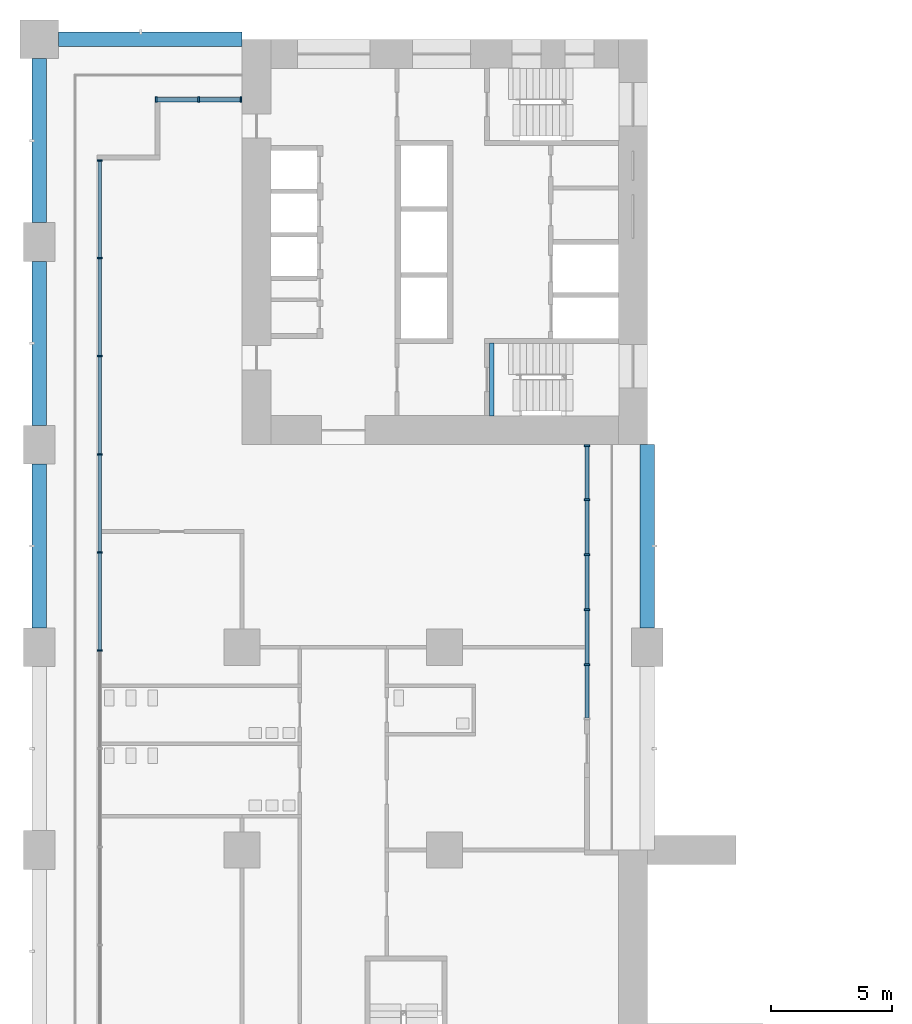
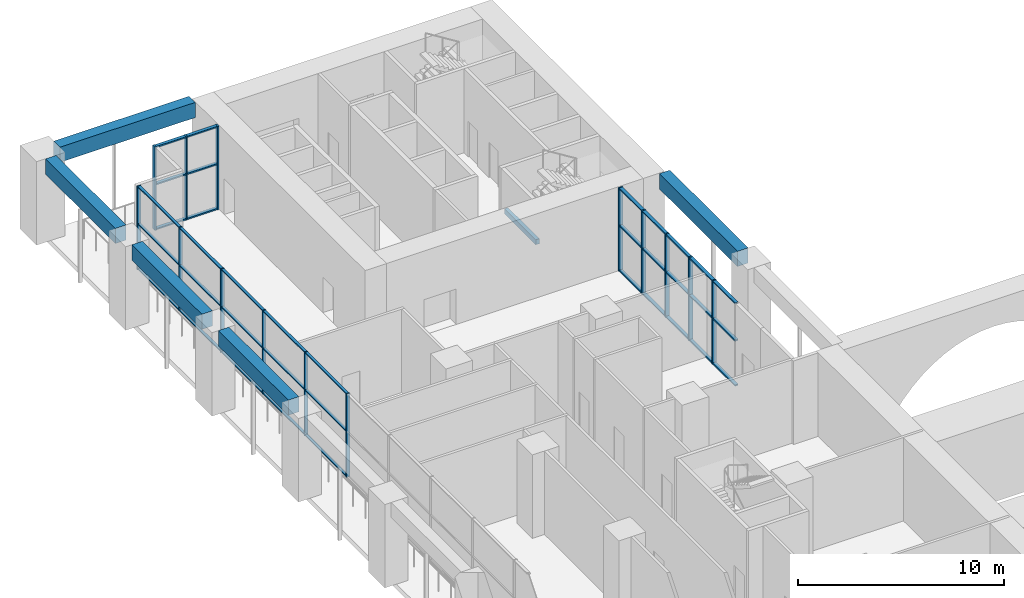
# One storey, part 6 of 26: 50 members, 6 beams, 3 elements without a shape of their own.
"""IFC4 building model written with IfcOpenShell, lengths in metres."""

from ifc_helpers import new_model, si_unit, direction, frame, origin, origin_2d, place, context, subcontext, project, spatial, rectangle, extrude, material, material_profile, profile_set, type_object, element, aggregate, save


model = new_model("IFC4")

# Units and contexts
model_context = context("Model", 3, precision=1e-05, world=origin(), true_north=direction((0.0, 1.0)))
body_context = subcontext(model_context, "Body", "Model", "MODEL_VIEW")
ifc_project = project(units=[si_unit("LENGTHUNIT", "METRE"), si_unit("AREAUNIT", "SQUARE_METRE"), si_unit("VOLUMEUNIT", "CUBIC_METRE"), si_unit("PLANEANGLEUNIT", "RADIAN"), si_unit("MASSUNIT", "GRAM", prefix="KILO")], contexts=[model_context])

# Site, building, storey
site_placement = place(None, origin())
site = spatial("IfcSite", under=ifc_project, at=site_placement, CompositionType="ELEMENT")
building_placement = place(site_placement, origin())
building = spatial("IfcBuilding", under=site, at=building_placement, Name="Vermilion Gate Residences", CompositionType="ELEMENT")
storey_placement = place(building_placement, frame((0.0, 0.0, 9.0)))
storey = spatial("IfcBuildingStorey", under=building, at=storey_placement, Name="L01", CompositionType="ELEMENT", Elevation=9.0)

# Curtain wall, members
ifc_material_1 = material(Name="Aluminium and glass", Category="aluminium")
curtain_wall_type_1 = type_object("IfcCurtainWallType", Name="LOBBY ENTRANCE GLAZING CURTAIN WALL", PredefinedType="NOTDEFINED", material=ifc_material_1)
curtain_wall_1_placement = place(storey_placement, origin())
curtain_wall_1 = element("IfcCurtainWall", 1, at=curtain_wall_1_placement, inside=storey, type_object=curtain_wall_type_1, Name="Lobby Entrance Glazing 0", PredefinedType="NOTDEFINED")
ifc_material_2 = material(Name="Aluminium", Category="aluminium")
ifc_material_profile_1 = material_profile(ifc_material_2, rectangle(XDim=0.219970703125, YDim=0.080078125, at=origin_2d()), Name="MULLION 80 X 220")
ifc_profile_set_1 = profile_set([ifc_material_profile_1], Name="Aluminium")
member_type_1 = type_object("IfcMemberType", Name="LOBBY ENTRANCE GLAZING MULLION 80 X 220", PredefinedType="MULLION", material=ifc_profile_set_1)
member_1_placement = place(storey_placement, frame((8.360107421875, 56.300048828125, 0.0), z_axis=(0.0, 0.0, 1.0), x_axis=(0.0, -1.0, 0.0)))
member_1 = element("IfcMember", 2, at=member_1_placement, type_object=member_type_1, Name="ECW5 mullion 1", PredefinedType="MULLION", context=body_context, shape_type="SweptSolid", body=[
    extrude(rectangle(XDim=0.219970703125, YDim=0.080078125, at=origin_2d()), origin(), (0.0, 0.0, 1.0), 4.949951171875),
])
member_2_placement = place(storey_placement, frame((6.60009765625, 56.300048828125, 0.0), z_axis=(0.0, 0.0, 1.0), x_axis=(0.0, -1.0, 0.0)))
member_2 = element("IfcMember", 3, at=member_2_placement, type_object=member_type_1, Name="ECW5 mullion 2", PredefinedType="MULLION", context=body_context, shape_type="SweptSolid", body=[
    extrude(rectangle(XDim=0.219970703125, YDim=0.080078125, at=origin_2d()), origin(), (0.0, 0.0, 1.0), 4.949951171875),
])
member_3_placement = place(storey_placement, frame((4.840087890625, 56.300048828125, 0.0), z_axis=(0.0, 0.0, 1.0), x_axis=(0.0, -1.0, 0.0)))
member_3 = element("IfcMember", 4, at=member_3_placement, type_object=member_type_1, Name="ECW5 mullion 3", PredefinedType="MULLION", context=body_context, shape_type="SweptSolid", body=[
    extrude(rectangle(XDim=0.219970703125, YDim=0.080078125, at=origin_2d()), origin(), (0.0, 0.0, 1.0), 4.949951171875),
])

curtain_wall_2_placement = place(storey_placement, origin())
curtain_wall_2 = element("IfcCurtainWall", 5, at=curtain_wall_2_placement, inside=storey, type_object=curtain_wall_type_1, Name="Lobby Entrance Glazing 82", PredefinedType="NOTDEFINED")
member_4_placement = place(storey_placement, frame((22.699951171875, 32.8798828125, 0.0), z_axis=(0.0, 0.0, 1.0), x_axis=(-1.0, 0.0, 0.0)))
member_4 = element("IfcMember", 6, at=member_4_placement, type_object=member_type_1, Name="ECW5 mullion 2", PredefinedType="MULLION", context=body_context, shape_type="SweptSolid", body=[
    extrude(rectangle(XDim=0.219970703125, YDim=0.080078125, at=origin_2d()), origin(), (0.0, 0.0, 1.0), 4.949951171875),
])
member_5_placement = place(storey_placement, frame((22.699951171875, 35.159912109375, 0.0), z_axis=(0.0, 0.0, 1.0), x_axis=(-1.0, 0.0, 0.0)))
member_5 = element("IfcMember", 7, at=member_5_placement, type_object=member_type_1, Name="ECW5 mullion 3", PredefinedType="MULLION", context=body_context, shape_type="SweptSolid", body=[
    extrude(rectangle(XDim=0.219970703125, YDim=0.080078125, at=origin_2d()), origin(), (0.0, 0.0, 1.0), 4.949951171875),
])
member_6_placement = place(storey_placement, frame((22.699951171875, 37.43994140625, 0.0), z_axis=(0.0, 0.0, 1.0), x_axis=(-1.0, 0.0, 0.0)))
member_6 = element("IfcMember", 8, at=member_6_placement, type_object=member_type_1, Name="ECW5 mullion 4", PredefinedType="MULLION", context=body_context, shape_type="SweptSolid", body=[
    extrude(rectangle(XDim=0.219970703125, YDim=0.080078125, at=origin_2d()), origin(), (0.0, 0.0, 1.0), 4.949951171875),
])
member_7_placement = place(storey_placement, frame((22.699951171875, 39.719970703125, 0.0), z_axis=(0.0, 0.0, 1.0), x_axis=(-1.0, 0.0, 0.0)))
member_7 = element("IfcMember", 9, at=member_7_placement, type_object=member_type_1, Name="ECW5 mullion 5", PredefinedType="MULLION", context=body_context, shape_type="SweptSolid", body=[
    extrude(rectangle(XDim=0.219970703125, YDim=0.080078125, at=origin_2d()), origin(), (0.0, 0.0, 1.0), 4.949951171875),
])
member_8_placement = place(storey_placement, frame((22.699951171875, 41.9599609375, 0.0), z_axis=(0.0, 0.0, 1.0), x_axis=(-1.0, 0.0, 0.0)))
member_8 = element("IfcMember", 10, at=member_8_placement, type_object=member_type_1, Name="ECW5 mullion 6", PredefinedType="MULLION", context=body_context, shape_type="SweptSolid", body=[
    extrude(rectangle(XDim=0.219970703125, YDim=0.080078125, at=origin_2d()), origin(), (0.0, 0.0, 1.0), 4.949951171875),
])

# Member
ifc_material_3 = material(Name="Aluminium", Category="aluminium")
ifc_material_profile_2 = material_profile(ifc_material_3, rectangle(XDim=0.179931640625, YDim=0.080078125, at=origin_2d()), Name="TRANSOM 80 X 180")
ifc_profile_set_2 = profile_set([ifc_material_profile_2], Name="Aluminium")
member_type_2 = type_object("IfcMemberType", Name="LOBBY ENTRANCE GLAZING TRANSOM 80 X 180", PredefinedType="MULLION", material=ifc_profile_set_2)
member_9_placement = place(storey_placement, frame((8.320068359375, 56.300048828125, 0.0400390625), z_axis=(-1.0, 0.0, 0.0), x_axis=(0.0, -1.0, 0.0)))
member_9 = element("IfcMember", 11, at=member_9_placement, type_object=member_type_2, Name="ECW5 transom 1.1", PredefinedType="MULLION", context=body_context, shape_type="SweptSolid", body=[
    extrude(rectangle(XDim=0.179931640625, YDim=0.080078125, at=origin_2d()), origin(), (0.0, 0.0, 1.0), 1.68017578125),
])

member_10_placement = place(storey_placement, frame((8.320068359375, 56.300048828125, 2.699951171875), z_axis=(-1.0, 0.0, 0.0), x_axis=(0.0, -1.0, 0.0)))
member_10 = element("IfcMember", 12, at=member_10_placement, type_object=member_type_2, Name="ECW5 transom 1.2", PredefinedType="MULLION", context=body_context, shape_type="SweptSolid", body=[
    extrude(rectangle(XDim=0.179931640625, YDim=0.080078125, at=origin_2d()), origin(), (0.0, 0.0, 1.0), 1.68017578125),
])

member_11_placement = place(storey_placement, frame((8.320068359375, 56.300048828125, 4.909912109375), z_axis=(-1.0, 0.0, 0.0), x_axis=(0.0, -1.0, 0.0)))
member_11 = element("IfcMember", 13, at=member_11_placement, type_object=member_type_2, Name="ECW5 transom 1.3", PredefinedType="MULLION", context=body_context, shape_type="SweptSolid", body=[
    extrude(rectangle(XDim=0.179931640625, YDim=0.080078125, at=origin_2d()), origin(), (0.0, 0.0, 1.0), 1.68017578125),
])

member_12_placement = place(storey_placement, frame((6.56005859375, 56.300048828125, 0.0400390625), z_axis=(-1.0, 0.0, 0.0), x_axis=(0.0, -1.0, 0.0)))
member_12 = element("IfcMember", 14, at=member_12_placement, type_object=member_type_2, Name="ECW5 transom 2.1", PredefinedType="MULLION", context=body_context, shape_type="SweptSolid", body=[
    extrude(rectangle(XDim=0.179931640625, YDim=0.080078125, at=origin_2d()), origin(), (0.0, 0.0, 1.0), 1.68017578125),
])

member_13_placement = place(storey_placement, frame((6.56005859375, 56.300048828125, 2.699951171875), z_axis=(-1.0, 0.0, 0.0), x_axis=(0.0, -1.0, 0.0)))
member_13 = element("IfcMember", 15, at=member_13_placement, type_object=member_type_2, Name="ECW5 transom 2.2", PredefinedType="MULLION", context=body_context, shape_type="SweptSolid", body=[
    extrude(rectangle(XDim=0.179931640625, YDim=0.080078125, at=origin_2d()), origin(), (0.0, 0.0, 1.0), 1.68017578125),
])

member_14_placement = place(storey_placement, frame((6.56005859375, 56.300048828125, 4.909912109375), z_axis=(-1.0, 0.0, 0.0), x_axis=(0.0, -1.0, 0.0)))
member_14 = element("IfcMember", 16, at=member_14_placement, type_object=member_type_2, Name="ECW5 transom 2.3", PredefinedType="MULLION", context=body_context, shape_type="SweptSolid", body=[
    extrude(rectangle(XDim=0.179931640625, YDim=0.080078125, at=origin_2d()), origin(), (0.0, 0.0, 1.0), 1.68017578125),
])

aggregate(curtain_wall_1, [member_1, member_2, member_3, member_9, member_10, member_11, member_12, member_13, member_14])

member_15_placement = place(storey_placement, frame((22.699951171875, 30.679931640625, 0.0400390625), z_axis=(0.0, 1.0, 0.0), x_axis=(-1.0, 0.0, 0.0)))
member_15 = element("IfcMember", 17, at=member_15_placement, type_object=member_type_2, Name="ECW5 transom 1.1", PredefinedType="MULLION", context=body_context, shape_type="SweptSolid", body=[
    extrude(rectangle(XDim=0.179931640625, YDim=0.080078125, at=origin_2d()), origin(), (0.0, 0.0, 1.0), 2.16015625),
])

member_16_placement = place(storey_placement, frame((22.699951171875, 30.679931640625, 2.699951171875), z_axis=(0.0, 1.0, 0.0), x_axis=(-1.0, 0.0, 0.0)))
member_16 = element("IfcMember", 18, at=member_16_placement, type_object=member_type_2, Name="ECW5 transom 1.2", PredefinedType="MULLION", context=body_context, shape_type="SweptSolid", body=[
    extrude(rectangle(XDim=0.179931640625, YDim=0.080078125, at=origin_2d()), origin(), (0.0, 0.0, 1.0), 2.16015625),
])

member_17_placement = place(storey_placement, frame((22.699951171875, 30.679931640625, 4.909912109375), z_axis=(0.0, 1.0, 0.0), x_axis=(-1.0, 0.0, 0.0)))
member_17 = element("IfcMember", 19, at=member_17_placement, type_object=member_type_2, Name="ECW5 transom 1.3", PredefinedType="MULLION", context=body_context, shape_type="SweptSolid", body=[
    extrude(rectangle(XDim=0.179931640625, YDim=0.080078125, at=origin_2d()), origin(), (0.0, 0.0, 1.0), 2.16015625),
])

member_18_placement = place(storey_placement, frame((22.699951171875, 32.919921875, 0.0400390625), z_axis=(0.0, 1.0, 0.0), x_axis=(-1.0, 0.0, 0.0)))
member_18 = element("IfcMember", 20, at=member_18_placement, type_object=member_type_2, Name="ECW5 transom 2.1", PredefinedType="MULLION", context=body_context, shape_type="SweptSolid", body=[
    extrude(rectangle(XDim=0.179931640625, YDim=0.080078125, at=origin_2d()), origin(), (0.0, 0.0, 1.0), 2.2001953125),
])

member_19_placement = place(storey_placement, frame((22.699951171875, 32.919921875, 2.699951171875), z_axis=(0.0, 1.0, 0.0), x_axis=(-1.0, 0.0, 0.0)))
member_19 = element("IfcMember", 21, at=member_19_placement, type_object=member_type_2, Name="ECW5 transom 2.2", PredefinedType="MULLION", context=body_context, shape_type="SweptSolid", body=[
    extrude(rectangle(XDim=0.179931640625, YDim=0.080078125, at=origin_2d()), origin(), (0.0, 0.0, 1.0), 2.2001953125),
])

member_20_placement = place(storey_placement, frame((22.699951171875, 32.919921875, 4.909912109375), z_axis=(0.0, 1.0, 0.0), x_axis=(-1.0, 0.0, 0.0)))
member_20 = element("IfcMember", 22, at=member_20_placement, type_object=member_type_2, Name="ECW5 transom 2.3", PredefinedType="MULLION", context=body_context, shape_type="SweptSolid", body=[
    extrude(rectangle(XDim=0.179931640625, YDim=0.080078125, at=origin_2d()), origin(), (0.0, 0.0, 1.0), 2.2001953125),
])

member_21_placement = place(storey_placement, frame((22.699951171875, 35.199951171875, 0.0400390625), z_axis=(0.0, 1.0, 0.0), x_axis=(-1.0, 0.0, 0.0)))
member_21 = element("IfcMember", 23, at=member_21_placement, type_object=member_type_2, Name="ECW5 transom 3.1", PredefinedType="MULLION", context=body_context, shape_type="SweptSolid", body=[
    extrude(rectangle(XDim=0.179931640625, YDim=0.080078125, at=origin_2d()), origin(), (0.0, 0.0, 1.0), 2.199951171875),
])

member_22_placement = place(storey_placement, frame((22.699951171875, 35.199951171875, 2.699951171875), z_axis=(0.0, 1.0, 0.0), x_axis=(-1.0, 0.0, 0.0)))
member_22 = element("IfcMember", 24, at=member_22_placement, type_object=member_type_2, Name="ECW5 transom 3.2", PredefinedType="MULLION", context=body_context, shape_type="SweptSolid", body=[
    extrude(rectangle(XDim=0.179931640625, YDim=0.080078125, at=origin_2d()), origin(), (0.0, 0.0, 1.0), 2.199951171875),
])

member_23_placement = place(storey_placement, frame((22.699951171875, 35.199951171875, 4.909912109375), z_axis=(0.0, 1.0, 0.0), x_axis=(-1.0, 0.0, 0.0)))
member_23 = element("IfcMember", 25, at=member_23_placement, type_object=member_type_2, Name="ECW5 transom 3.3", PredefinedType="MULLION", context=body_context, shape_type="SweptSolid", body=[
    extrude(rectangle(XDim=0.179931640625, YDim=0.080078125, at=origin_2d()), origin(), (0.0, 0.0, 1.0), 2.199951171875),
])

member_24_placement = place(storey_placement, frame((22.699951171875, 37.47998046875, 0.0400390625), z_axis=(0.0, 1.0, 0.0), x_axis=(-1.0, 0.0, 0.0)))
member_24 = element("IfcMember", 26, at=member_24_placement, type_object=member_type_2, Name="ECW5 transom 4.1", PredefinedType="MULLION", context=body_context, shape_type="SweptSolid", body=[
    extrude(rectangle(XDim=0.179931640625, YDim=0.080078125, at=origin_2d()), origin(), (0.0, 0.0, 1.0), 2.199951171875),
])

member_25_placement = place(storey_placement, frame((22.699951171875, 37.47998046875, 2.699951171875), z_axis=(0.0, 1.0, 0.0), x_axis=(-1.0, 0.0, 0.0)))
member_25 = element("IfcMember", 27, at=member_25_placement, type_object=member_type_2, Name="ECW5 transom 4.2", PredefinedType="MULLION", context=body_context, shape_type="SweptSolid", body=[
    extrude(rectangle(XDim=0.179931640625, YDim=0.080078125, at=origin_2d()), origin(), (0.0, 0.0, 1.0), 2.199951171875),
])

member_26_placement = place(storey_placement, frame((22.699951171875, 37.47998046875, 4.909912109375), z_axis=(0.0, 1.0, 0.0), x_axis=(-1.0, 0.0, 0.0)))
member_26 = element("IfcMember", 28, at=member_26_placement, type_object=member_type_2, Name="ECW5 transom 4.3", PredefinedType="MULLION", context=body_context, shape_type="SweptSolid", body=[
    extrude(rectangle(XDim=0.179931640625, YDim=0.080078125, at=origin_2d()), origin(), (0.0, 0.0, 1.0), 2.199951171875),
])

member_27_placement = place(storey_placement, frame((22.699951171875, 39.760009765625, 0.0400390625), z_axis=(0.0, 1.0, 0.0), x_axis=(-1.0, 0.0, 0.0)))
member_27 = element("IfcMember", 29, at=member_27_placement, type_object=member_type_2, Name="ECW5 transom 5.1", PredefinedType="MULLION", context=body_context, shape_type="SweptSolid", body=[
    extrude(rectangle(XDim=0.179931640625, YDim=0.080078125, at=origin_2d()), origin(), (0.0, 0.0, 1.0), 2.159912109375),
])

member_28_placement = place(storey_placement, frame((22.699951171875, 39.760009765625, 2.699951171875), z_axis=(0.0, 1.0, 0.0), x_axis=(-1.0, 0.0, 0.0)))
member_28 = element("IfcMember", 30, at=member_28_placement, type_object=member_type_2, Name="ECW5 transom 5.2", PredefinedType="MULLION", context=body_context, shape_type="SweptSolid", body=[
    extrude(rectangle(XDim=0.179931640625, YDim=0.080078125, at=origin_2d()), origin(), (0.0, 0.0, 1.0), 2.159912109375),
])

member_29_placement = place(storey_placement, frame((22.699951171875, 39.760009765625, 4.909912109375), z_axis=(0.0, 1.0, 0.0), x_axis=(-1.0, 0.0, 0.0)))
member_29 = element("IfcMember", 31, at=member_29_placement, type_object=member_type_2, Name="ECW5 transom 5.3", PredefinedType="MULLION", context=body_context, shape_type="SweptSolid", body=[
    extrude(rectangle(XDim=0.179931640625, YDim=0.080078125, at=origin_2d()), origin(), (0.0, 0.0, 1.0), 2.159912109375),
])

aggregate(curtain_wall_2, [member_4, member_5, member_6, member_7, member_8, member_15, member_16, member_17, member_18, member_19, member_20, member_21, member_22, member_23, member_24, member_25, member_26, member_27, member_28, member_29])

# Curtain wall, members
ifc_material_4 = material(Name="Aluminium and glass", Category="aluminium")
curtain_wall_type_2 = type_object("IfcCurtainWallType", Name="PODIUM SHOPFRONT CURTAIN WALL", PredefinedType="NOTDEFINED", material=ifc_material_4)
curtain_wall_3_placement = place(storey_placement, origin())
curtain_wall_3 = element("IfcCurtainWall", 32, at=curtain_wall_3_placement, inside=storey, type_object=curtain_wall_type_2, Name="Podium Shopfront 30", PredefinedType="NOTDEFINED")
ifc_material_5 = material(Name="Aluminium", Category="aluminium")
ifc_material_profile_3 = material_profile(ifc_material_5, rectangle(XDim=0.199951171875, YDim=0.06005859375, at=origin_2d()), Name="MULLION 60 X 200")
ifc_profile_set_3 = profile_set([ifc_material_profile_3], Name="Aluminium")
member_type_3 = type_object("IfcMemberType", Name="PODIUM SHOPFRONT MULLION 60 X 200", PredefinedType="MULLION", material=ifc_profile_set_3)
member_30_placement = place(storey_placement, frame((2.5, 53.77001953125, 0.0), z_axis=(0.0, 0.0, 1.0), x_axis=(1.0, 0.0, 0.0)))
member_30 = element("IfcMember", 33, at=member_30_placement, type_object=member_type_3, Name="ECW1 mullion 1", PredefinedType="MULLION", context=body_context, shape_type="SweptSolid", body=[
    extrude(rectangle(XDim=0.199951171875, YDim=0.06005859375, at=origin_2d()), origin(), (0.0, 0.0, 1.0), 4.949951171875),
])
member_31_placement = place(storey_placement, frame((2.5, 49.7333984375, 0.0), z_axis=(0.0, 0.0, 1.0), x_axis=(1.0, 0.0, 0.0)))
member_31 = element("IfcMember", 34, at=member_31_placement, type_object=member_type_3, Name="ECW1 mullion 2", PredefinedType="MULLION", context=body_context, shape_type="SweptSolid", body=[
    extrude(rectangle(XDim=0.199951171875, YDim=0.06005859375, at=origin_2d()), origin(), (0.0, 0.0, 1.0), 4.949951171875),
])
member_32_placement = place(storey_placement, frame((2.5, 45.666748046875, 0.0), z_axis=(0.0, 0.0, 1.0), x_axis=(1.0, 0.0, 0.0)))
member_32 = element("IfcMember", 35, at=member_32_placement, type_object=member_type_3, Name="ECW1 mullion 3", PredefinedType="MULLION", context=body_context, shape_type="SweptSolid", body=[
    extrude(rectangle(XDim=0.199951171875, YDim=0.06005859375, at=origin_2d()), origin(), (0.0, 0.0, 1.0), 4.949951171875),
])
member_33_placement = place(storey_placement, frame((2.5, 41.60009765625, 0.0), z_axis=(0.0, 0.0, 1.0), x_axis=(1.0, 0.0, 0.0)))
member_33 = element("IfcMember", 36, at=member_33_placement, type_object=member_type_3, Name="ECW1 mullion 4", PredefinedType="MULLION", context=body_context, shape_type="SweptSolid", body=[
    extrude(rectangle(XDim=0.199951171875, YDim=0.06005859375, at=origin_2d()), origin(), (0.0, 0.0, 1.0), 4.949951171875),
])
member_34_placement = place(storey_placement, frame((2.5, 37.533447265625, 0.0), z_axis=(0.0, 0.0, 1.0), x_axis=(1.0, 0.0, 0.0)))
member_34 = element("IfcMember", 37, at=member_34_placement, type_object=member_type_3, Name="ECW1 mullion 5", PredefinedType="MULLION", context=body_context, shape_type="SweptSolid", body=[
    extrude(rectangle(XDim=0.199951171875, YDim=0.06005859375, at=origin_2d()), origin(), (0.0, 0.0, 1.0), 4.949951171875),
])
member_35_placement = place(storey_placement, frame((2.5, 33.466552734375, 0.0), z_axis=(0.0, 0.0, 1.0), x_axis=(1.0, 0.0, 0.0)))
member_35 = element("IfcMember", 38, at=member_35_placement, type_object=member_type_3, Name="ECW1 mullion 6", PredefinedType="MULLION", context=body_context, shape_type="SweptSolid", body=[
    extrude(rectangle(XDim=0.199951171875, YDim=0.06005859375, at=origin_2d()), origin(), (0.0, 0.0, 1.0), 4.949951171875),
])
ifc_material_6 = material(Name="Aluminium", Category="aluminium")
ifc_material_profile_4 = material_profile(ifc_material_6, rectangle(XDim=0.14990234375, YDim=0.06005859375, at=origin_2d()), Name="TRANSOM 60 X 150")
ifc_profile_set_4 = profile_set([ifc_material_profile_4], Name="Aluminium")
member_type_4 = type_object("IfcMemberType", Name="PODIUM SHOPFRONT TRANSOM 60 X 150", PredefinedType="MULLION", material=ifc_profile_set_4)
member_36_placement = place(storey_placement, frame((2.5, 53.739990234375, 0.030029296875), z_axis=(0.0, -1.0, 0.0), x_axis=(1.0, 0.0, 0.0)))
member_36 = element("IfcMember", 39, at=member_36_placement, type_object=member_type_4, Name="ECW1 transom 1.1", PredefinedType="MULLION", context=body_context, shape_type="SweptSolid", body=[
    extrude(rectangle(XDim=0.14990234375, YDim=0.06005859375, at=origin_2d()), origin(), (0.0, 0.0, 1.0), 3.9765625),
])
member_37_placement = place(storey_placement, frame((2.5, 53.739990234375, 2.699951171875), z_axis=(0.0, -1.0, 0.0), x_axis=(1.0, 0.0, 0.0)))
member_37 = element("IfcMember", 40, at=member_37_placement, type_object=member_type_4, Name="ECW1 transom 1.2", PredefinedType="MULLION", context=body_context, shape_type="SweptSolid", body=[
    extrude(rectangle(XDim=0.14990234375, YDim=0.06005859375, at=origin_2d()), origin(), (0.0, 0.0, 1.0), 3.9765625),
])
member_38_placement = place(storey_placement, frame((2.5, 53.739990234375, 4.919921875), z_axis=(0.0, -1.0, 0.0), x_axis=(1.0, 0.0, 0.0)))
member_38 = element("IfcMember", 41, at=member_38_placement, type_object=member_type_4, Name="ECW1 transom 1.3", PredefinedType="MULLION", context=body_context, shape_type="SweptSolid", body=[
    extrude(rectangle(XDim=0.14990234375, YDim=0.06005859375, at=origin_2d()), origin(), (0.0, 0.0, 1.0), 3.9765625),
])
member_39_placement = place(storey_placement, frame((2.5, 49.703369140625, 0.030029296875), z_axis=(0.0, -1.0, 0.0), x_axis=(1.0, 0.0, 0.0)))
member_39 = element("IfcMember", 42, at=member_39_placement, type_object=member_type_4, Name="ECW1 transom 2.1", PredefinedType="MULLION", context=body_context, shape_type="SweptSolid", body=[
    extrude(rectangle(XDim=0.14990234375, YDim=0.06005859375, at=origin_2d()), origin(), (0.0, 0.0, 1.0), 4.006591796875),
])
member_40_placement = place(storey_placement, frame((2.5, 49.703369140625, 2.699951171875), z_axis=(0.0, -1.0, 0.0), x_axis=(1.0, 0.0, 0.0)))
member_40 = element("IfcMember", 43, at=member_40_placement, type_object=member_type_4, Name="ECW1 transom 2.2", PredefinedType="MULLION", context=body_context, shape_type="SweptSolid", body=[
    extrude(rectangle(XDim=0.14990234375, YDim=0.06005859375, at=origin_2d()), origin(), (0.0, 0.0, 1.0), 4.006591796875),
])
member_41_placement = place(storey_placement, frame((2.5, 49.703369140625, 4.919921875), z_axis=(0.0, -1.0, 0.0), x_axis=(1.0, 0.0, 0.0)))
member_41 = element("IfcMember", 44, at=member_41_placement, type_object=member_type_4, Name="ECW1 transom 2.3", PredefinedType="MULLION", context=body_context, shape_type="SweptSolid", body=[
    extrude(rectangle(XDim=0.14990234375, YDim=0.06005859375, at=origin_2d()), origin(), (0.0, 0.0, 1.0), 4.006591796875),
])
member_42_placement = place(storey_placement, frame((2.5, 45.63671875, 0.030029296875), z_axis=(0.0, -1.0, 0.0), x_axis=(1.0, 0.0, 0.0)))
member_42 = element("IfcMember", 45, at=member_42_placement, type_object=member_type_4, Name="ECW1 transom 3.1", PredefinedType="MULLION", context=body_context, shape_type="SweptSolid", body=[
    extrude(rectangle(XDim=0.14990234375, YDim=0.06005859375, at=origin_2d()), origin(), (0.0, 0.0, 1.0), 4.0068359375),
])
member_43_placement = place(storey_placement, frame((2.5, 45.63671875, 2.699951171875), z_axis=(0.0, -1.0, 0.0), x_axis=(1.0, 0.0, 0.0)))
member_43 = element("IfcMember", 46, at=member_43_placement, type_object=member_type_4, Name="ECW1 transom 3.2", PredefinedType="MULLION", context=body_context, shape_type="SweptSolid", body=[
    extrude(rectangle(XDim=0.14990234375, YDim=0.06005859375, at=origin_2d()), origin(), (0.0, 0.0, 1.0), 4.0068359375),
])
member_44_placement = place(storey_placement, frame((2.5, 45.63671875, 4.919921875), z_axis=(0.0, -1.0, 0.0), x_axis=(1.0, 0.0, 0.0)))
member_44 = element("IfcMember", 47, at=member_44_placement, type_object=member_type_4, Name="ECW1 transom 3.3", PredefinedType="MULLION", context=body_context, shape_type="SweptSolid", body=[
    extrude(rectangle(XDim=0.14990234375, YDim=0.06005859375, at=origin_2d()), origin(), (0.0, 0.0, 1.0), 4.0068359375),
])
member_45_placement = place(storey_placement, frame((2.5, 41.570068359375, 0.030029296875), z_axis=(0.0, -1.0, 0.0), x_axis=(1.0, 0.0, 0.0)))
member_45 = element("IfcMember", 48, at=member_45_placement, type_object=member_type_4, Name="ECW1 transom 4.1", PredefinedType="MULLION", context=body_context, shape_type="SweptSolid", body=[
    extrude(rectangle(XDim=0.14990234375, YDim=0.06005859375, at=origin_2d()), origin(), (0.0, 0.0, 1.0), 4.0068359375),
])
member_46_placement = place(storey_placement, frame((2.5, 41.570068359375, 2.699951171875), z_axis=(0.0, -1.0, 0.0), x_axis=(1.0, 0.0, 0.0)))
member_46 = element("IfcMember", 49, at=member_46_placement, type_object=member_type_4, Name="ECW1 transom 4.2", PredefinedType="MULLION", context=body_context, shape_type="SweptSolid", body=[
    extrude(rectangle(XDim=0.14990234375, YDim=0.06005859375, at=origin_2d()), origin(), (0.0, 0.0, 1.0), 4.0068359375),
])
member_47_placement = place(storey_placement, frame((2.5, 41.570068359375, 4.919921875), z_axis=(0.0, -1.0, 0.0), x_axis=(1.0, 0.0, 0.0)))
member_47 = element("IfcMember", 50, at=member_47_placement, type_object=member_type_4, Name="ECW1 transom 4.3", PredefinedType="MULLION", context=body_context, shape_type="SweptSolid", body=[
    extrude(rectangle(XDim=0.14990234375, YDim=0.06005859375, at=origin_2d()), origin(), (0.0, 0.0, 1.0), 4.0068359375),
])
member_48_placement = place(storey_placement, frame((2.5, 37.50341796875, 0.030029296875), z_axis=(0.0, -1.0, 0.0), x_axis=(1.0, 0.0, 0.0)))
member_48 = element("IfcMember", 51, at=member_48_placement, type_object=member_type_4, Name="ECW1 transom 5.1", PredefinedType="MULLION", context=body_context, shape_type="SweptSolid", body=[
    extrude(rectangle(XDim=0.14990234375, YDim=0.06005859375, at=origin_2d()), origin(), (0.0, 0.0, 1.0), 4.0068359375),
])
member_49_placement = place(storey_placement, frame((2.5, 37.50341796875, 2.699951171875), z_axis=(0.0, -1.0, 0.0), x_axis=(1.0, 0.0, 0.0)))
member_49 = element("IfcMember", 52, at=member_49_placement, type_object=member_type_4, Name="ECW1 transom 5.2", PredefinedType="MULLION", context=body_context, shape_type="SweptSolid", body=[
    extrude(rectangle(XDim=0.14990234375, YDim=0.06005859375, at=origin_2d()), origin(), (0.0, 0.0, 1.0), 4.0068359375),
])
member_50_placement = place(storey_placement, frame((2.5, 37.50341796875, 4.919921875), z_axis=(0.0, -1.0, 0.0), x_axis=(1.0, 0.0, 0.0)))
member_50 = element("IfcMember", 53, at=member_50_placement, type_object=member_type_4, Name="ECW1 transom 5.3", PredefinedType="MULLION", context=body_context, shape_type="SweptSolid", body=[
    extrude(rectangle(XDim=0.14990234375, YDim=0.06005859375, at=origin_2d()), origin(), (0.0, 0.0, 1.0), 4.0068359375),
])
aggregate(curtain_wall_3, [member_30, member_31, member_32, member_33, member_34, member_35, member_36, member_37, member_38, member_39, member_40, member_41, member_42, member_43, member_44, member_45, member_46, member_47, member_48, member_49, member_50])

# Beams
ifc_material_7 = material(Name="Concrete C60 red-oxide pigmented", Category="concrete")
ifc_material_profile_5 = material_profile(ifc_material_7, rectangle(XDim=0.60009765625, YDim=0.89990234375, at=origin_2d()), Name="RC-600x900")
ifc_profile_set_5 = profile_set([ifc_material_profile_5], Name="Concrete C60 red-oxide pigmented")
beam_type_1 = type_object("IfcBeamType", Name="RC EDGE BEAM 600 X 900 C60", PredefinedType="BEAM", material=ifc_profile_set_5)
for number, where, z_axis, x_axis, name in (
    (54, (0.0, 34.39990234375, 4.5), (0.0, 1.0, 0.0), (-1.0, 0.0, 0.0), "Edge beam L01 6"),
    (55, (0.0, 42.800048828125, 4.5), (0.0, 1.0, 0.0), (-1.0, 0.0, 0.0), "Edge beam L01 7"),
):
    element("IfcBeam", number, at=place(storey_placement, frame(where, z_axis=z_axis, x_axis=x_axis)), inside=storey, type_object=beam_type_1, Name=name, PredefinedType="BEAM", context=body_context, shape_type="SweptSolid", body=[
        extrude(rectangle(XDim=0.60009765625, YDim=0.89990234375, at=origin_2d()), origin(), (0.0, 0.0, 1.0), 6.800048828125),
    ])
beam_1_placement = place(storey_placement, frame((0.800048828125, 58.800048828125, 4.5), z_axis=(1.0, 0.0, 0.0), x_axis=(0.0, 1.0, 0.0)))
element("IfcBeam", 56, at=beam_1_placement, inside=storey, type_object=beam_type_1, Name="Edge beam L01 8", PredefinedType="BEAM", context=body_context, shape_type="SweptSolid", body=[
    extrude(rectangle(XDim=0.60009765625, YDim=0.89990234375, at=origin_2d()), origin(), (0.0, 0.0, 1.0), 7.599853515625),
])
beam_2_placement = place(storey_placement, frame((0.0, 51.199951171875, 4.5), z_axis=(0.0, 1.0, 0.0), x_axis=(-1.0, 0.0, 0.0)))
element("IfcBeam", 57, at=beam_2_placement, inside=storey, type_object=beam_type_1, Name="Edge beam L01 9", PredefinedType="BEAM", context=body_context, shape_type="SweptSolid", body=[
    extrude(rectangle(XDim=0.60009765625, YDim=0.89990234375, at=origin_2d()), origin(), (0.0, 0.0, 1.0), 6.800048828125),
])
beam_3_placement = place(storey_placement, frame((25.199951171875, 34.39990234375, 4.5), z_axis=(0.0, 1.0, 0.0), x_axis=(-1.0, 0.0, 0.0)))
element("IfcBeam", 58, at=beam_3_placement, inside=storey, type_object=beam_type_1, Name="Edge beam L01 13", PredefinedType="BEAM", context=body_context, shape_type="SweptSolid", body=[
    extrude(rectangle(XDim=0.60009765625, YDim=0.89990234375, at=origin_2d()), origin(), (0.0, 0.0, 1.0), 7.60009765625),
])
ifc_material_8 = material(Name="Concrete C50", Category="concrete")
ifc_material_profile_6 = material_profile(ifc_material_8, rectangle(XDim=0.199951171875, YDim=0.300048828125, at=origin_2d()), Name="RC-200x300")
ifc_profile_set_6 = profile_set([ifc_material_profile_6], Name="Concrete C50")
beam_type_2 = type_object("IfcBeamType", Name="RC LANDING BEAM 200 X 300 C50", PredefinedType="BEAM", material=ifc_profile_set_6)
beam_4_placement = place(storey_placement, frame((18.75, 46.219970703125, 2.35009765625), z_axis=(0.0, -1.0, 0.0), x_axis=(1.0, 0.0, 0.0)))
element("IfcBeam", 59, at=beam_4_placement, inside=storey, type_object=beam_type_2, Name="Landing beam STB2-01 2", PredefinedType="BEAM", context=body_context, shape_type="SweptSolid", body=[
    extrude(rectangle(XDim=0.199951171875, YDim=0.300048828125, at=origin_2d()), origin(), (0.0, 0.0, 1.0), 3.0400390625),
])

save(model, "model.ifc")
